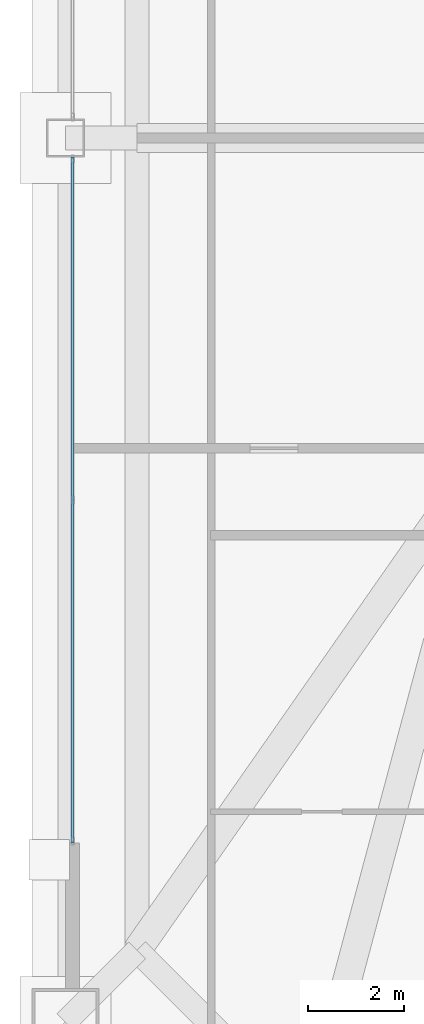
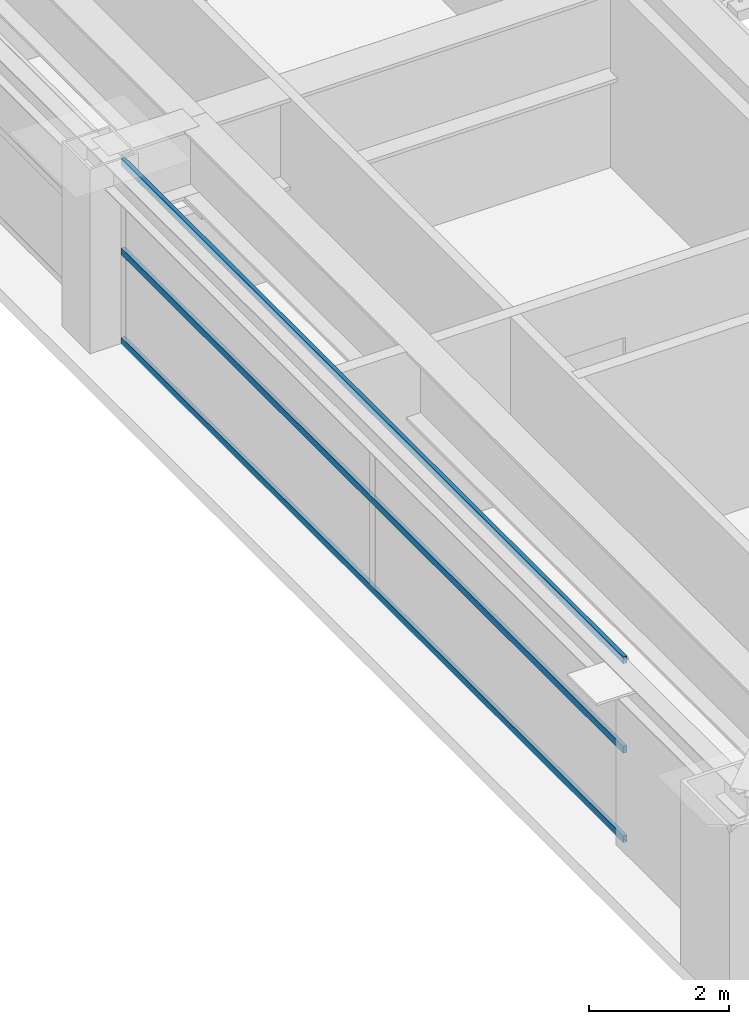
# One storey, part 9 of 39: 3 members, 1 element without a shape of its own.
"""IFC4 building model written with IfcOpenShell, lengths in metres."""

import ifcopenshell
import ifcopenshell.guid

model = None  # the IFC model being written
_history = None  # IfcOwnerHistory: only IFC2X3 demands one
_inside = {}  # id of a spatial element -> (the spatial element, [elements in it])
_under = {}  # id of a project, library or spatial element -> (it, [spatial elements below it])
_declared = {}  # id of a project -> (the project, [libraries it declares])
_typed = {}  # id of a type object -> (the type object, [elements of that type])
_made_of = {}  # id of a material, layer set ... -> (it, [elements and type objects made of it])


def new_model(schema):
    """Start an empty IFC model of exactly this schema.

    Asked for "IFC4X3", IfcOpenShell would pick the latest addendum, in which some entities
    have other attributes; the version numbers below select the first issue.
    IFC2X3 requires an IfcOwnerHistory on every rooted entity: one is made here for all.
    """
    global model, _history
    if schema == "IFC4X3":
        model = ifcopenshell.file(schema_version=(4, 3, 0, 0))
    else:
        model = ifcopenshell.file(schema=schema)
    _inside.clear()
    _under.clear()
    _declared.clear()
    _typed.clear()
    _made_of.clear()
    _history = None
    if model.schema == "IFC2X3":
        org = make("IfcOrganization", Name="unknown")
        user = make(
            "IfcPersonAndOrganization",
            ThePerson=make("IfcPerson", FamilyName="unknown"),
            TheOrganization=org,
        )
        app = make(
            "IfcApplication",
            ApplicationDeveloper=org,
            Version="unknown",
            ApplicationFullName="unknown",
            ApplicationIdentifier="unknown",
        )
        _history = make(
            "IfcOwnerHistory",
            OwningUser=user,
            OwningApplication=app,
            ChangeAction="ADDED",
            CreationDate=0,
        )
    return model


def make(cls, **values):
    """One entity of the class cls with the attributes given. An attribute that is None is left unset."""
    return model.create_entity(
        cls, **{name: value for name, value in values.items() if value is not None}
    )


def rooted(cls, **values):
    """An entity with a GlobalId (a new one), such as an element, a storey or a relation."""
    return make(cls, GlobalId=ifcopenshell.guid.new(), OwnerHistory=_history, **values)


def si_unit(unit_type, name, prefix=None):
    """IfcSIUnit, for example si_unit("LENGTHUNIT", "METRE", prefix="MILLI")."""
    return make("IfcSIUnit", UnitType=unit_type, Prefix=prefix, Name=name)


def assignment(units):
    """IfcUnitAssignment: the units of a project."""
    return None if units is None else make("IfcUnitAssignment", Units=units)


def point(xyz):
    """IfcCartesianPoint."""
    return None if xyz is None else make("IfcCartesianPoint", Coordinates=xyz)


def direction(xyz):
    """IfcDirection."""
    return None if xyz is None else make("IfcDirection", DirectionRatios=xyz)


def frame(location, z_axis=None, x_axis=None):
    """IfcAxis2Placement3D, a coordinate frame: its origin and axes. An axis left out is left unset."""
    return make(
        "IfcAxis2Placement3D",
        Location=point(location),
        Axis=direction(z_axis),
        RefDirection=direction(x_axis),
    )


def frame_2d(location, x_axis=None):
    """IfcAxis2Placement2D, a coordinate frame in the plane: its origin and x axis."""
    return make(
        "IfcAxis2Placement2D", Location=point(location), RefDirection=direction(x_axis)
    )


def origin():
    """The frame at (0, 0, 0) with its axes left unset."""
    return frame((0.0, 0.0, 0.0))


def origin_2d():
    """The frame at (0, 0) in the plane with its x axis left unset."""
    return frame_2d((0.0, 0.0))


def place(relative_to, where):
    """IfcLocalPlacement: puts the frame where relative to a parent placement (None: the world)."""
    return make(
        "IfcLocalPlacement", PlacementRelTo=relative_to, RelativePlacement=where
    )


def context(
    kind, dimensions, precision=None, world=None, true_north=None, identifier=None
):
    """IfcGeometricRepresentationContext, for example the 3D "Model" context."""
    return make(
        "IfcGeometricRepresentationContext",
        ContextIdentifier=identifier,
        ContextType=kind,
        CoordinateSpaceDimension=dimensions,
        Precision=precision,
        WorldCoordinateSystem=world,
        TrueNorth=true_north,
    )


def subcontext(parent, identifier, kind, view, scale=None):
    """IfcGeometricRepresentationSubContext, for example "Body" below "Model"."""
    return make(
        "IfcGeometricRepresentationSubContext",
        ContextIdentifier=identifier,
        ContextType=kind,
        ParentContext=parent,
        TargetScale=scale,
        TargetView=view,
    )


def project(units=None, contexts=None):
    """IfcProject with its units and contexts."""
    return rooted(
        "IfcProject",
        Name="project",
        RepresentationContexts=contexts,
        UnitsInContext=assignment(units),
    )


def spatial(cls, under=None, at=None, **own):
    """A site, building, storey or space (cls), placed at a placement, below another one or the project."""
    s = rooted(cls, ObjectPlacement=at, **own)
    if under is not None:
        _under.setdefault(under.id(), (under, []))[1].append(s)
    return s


def profile(cls, at=None, kind="AREA", **sizes):
    """A parametric profile (cls). Its sizes go by their IFC names, for example OverallWidth=200.0."""
    return make(cls, ProfileType=kind, Position=at, **sizes)


def hollow_rectangle(**sizes):
    """IfcRectangleHollowProfileDef."""
    return profile("IfcRectangleHollowProfileDef", **sizes)


def extrude(swept, where, along, depth):
    """IfcExtrudedAreaSolid: the profile swept, set in the frame where, extruded along a direction by depth."""
    return make(
        "IfcExtrudedAreaSolid",
        SweptArea=swept,
        Position=where,
        ExtrudedDirection=direction(along),
        Depth=depth,
    )


def shape(context_of_items, identifier, shape_type, items):
    """IfcShapeRepresentation: the items that make up one representation, for example the "Body"."""
    return make(
        "IfcShapeRepresentation",
        ContextOfItems=context_of_items,
        RepresentationIdentifier=identifier,
        RepresentationType=shape_type,
        Items=items,
    )


def source(mapping_origin, context_of_items, identifier, shape_type, items):
    """IfcRepresentationMap: a shape defined once, which mapped items show again and again."""
    return make(
        "IfcRepresentationMap",
        MappingOrigin=mapping_origin,
        MappedRepresentation=shape(context_of_items, identifier, shape_type, items),
    )


def transform(
    local_origin,
    x_axis=None,
    y_axis=None,
    z_axis=None,
    scale=None,
    scale2=None,
    scale3=None,
    uniform=True,
):
    """IfcCartesianTransformationOperator3D, or its non-uniform kind. x_axis, y_axis, z_axis: its Axis1, 2, 3."""
    if uniform:
        return make(
            "IfcCartesianTransformationOperator3D",
            Axis1=direction(x_axis),
            Axis2=direction(y_axis),
            LocalOrigin=point(local_origin),
            Scale=scale,
            Axis3=direction(z_axis),
        )
    return make(
        "IfcCartesianTransformationOperator3DnonUniform",
        Axis1=direction(x_axis),
        Axis2=direction(y_axis),
        LocalOrigin=point(local_origin),
        Scale=scale,
        Axis3=direction(z_axis),
        Scale2=scale2,
        Scale3=scale3,
    )


def mapped(mapping_source, mapping_target):
    """IfcMappedItem: shows the shape of a source again, moved by a transform."""
    return make(
        "IfcMappedItem", MappingSource=mapping_source, MappingTarget=mapping_target
    )


def material(Name=None, Category=None):
    """IfcMaterial."""
    return make("IfcMaterial", Name=Name, Category=Category)


def layer(
    of_material, thickness, ventilated=None, Name=None, Category=None, Priority=None
):
    """IfcMaterialLayer: one layer of a wall or slab, of a material (None: an air gap)."""
    return make(
        "IfcMaterialLayer",
        Material=of_material,
        LayerThickness=thickness,
        IsVentilated=ventilated,
        Name=Name,
        Category=Category,
        Priority=Priority,
    )


def layer_set(layers, Name=None):
    """IfcMaterialLayerSet."""
    return make("IfcMaterialLayerSet", MaterialLayers=layers, LayerSetName=Name)


def material_profile(
    of_material, cross_section, Name=None, Category=None, Priority=None
):
    """IfcMaterialProfile: a cross section and its material."""
    return make(
        "IfcMaterialProfile",
        Name=Name,
        Material=of_material,
        Profile=cross_section,
        Priority=Priority,
        Category=Category,
    )


def profile_set(profiles, Name=None, composite=None):
    """IfcMaterialProfileSet."""
    return make(
        "IfcMaterialProfileSet",
        Name=Name,
        MaterialProfiles=profiles,
        CompositeProfile=composite,
    )


def made_of(thing, what):
    """Note that an element or type object is made of a material, layer set ...; save() writes the relation."""
    if what is not None:
        _made_of.setdefault(what.id(), (what, []))[1].append(thing)
    return thing


def type_object(cls, material=None, **own):
    """A type object (cls), such as IfcWallType, which elements share."""
    return made_of(rooted(cls, **own), material)


def element(
    cls,
    number,
    at=None,
    inside=None,
    cuts=None,
    type_object=None,
    material=None,
    context=None,
    identifier="Body",
    shape_type=None,
    held_by="IfcProductDefinitionShape",
    body=None,
    shapes=None,
    **own,
):
    """One element of the class cls, such as IfcWall. Its Tag is "e" and its number.

    at: its placement. inside: the storey or other place that contains it. cuts: it is an
    opening in that element (IfcRelVoidsElement). A single representation is given by context,
    identifier, shape_type and body (its items); several are given by shapes. held_by: the class
    of the entity that holds the representations. save() writes the other relations.
    """
    e = rooted(cls, Tag="e%d" % number, ObjectPlacement=at, **own)
    if body is not None:
        shapes = [shape(context, identifier, shape_type, body)]
    if shapes is not None:
        e.Representation = make(held_by, Representations=shapes)
    if inside is not None:
        _inside.setdefault(inside.id(), (inside, []))[1].append(e)
    if cuts is not None:
        rooted(
            "IfcRelVoidsElement", RelatingBuildingElement=cuts, RelatedOpeningElement=e
        )
    if type_object is not None:
        _typed.setdefault(type_object.id(), (type_object, []))[1].append(e)
    return made_of(e, material)


def aggregate(whole, parts):
    """IfcRelAggregates: a whole, such as a stair, and the parts it consists of."""
    return rooted("IfcRelAggregates", RelatingObject=whole, RelatedObjects=parts)


def save(model, path):
    """Write the relations noted so far, then the file.

    IfcRelAggregates (storeys below a building ...), IfcRelContainedInSpatialStructure (elements
    in a storey), IfcRelDefinesByType, IfcRelAssociatesMaterial and IfcRelDeclares: one each for
    every whole, place, type object, material and project.
    """
    for whole, parts in _under.values():
        aggregate(whole, parts)
    for where, things in _inside.values():
        rooted(
            "IfcRelContainedInSpatialStructure",
            RelatedElements=things,
            RelatingStructure=where,
        )
    for kind, things in _typed.values():
        rooted("IfcRelDefinesByType", RelatedObjects=things, RelatingType=kind)
    for what, things in _made_of.values():
        rooted("IfcRelAssociatesMaterial", RelatedObjects=things, RelatingMaterial=what)
    for by, libraries in _declared.values():
        rooted("IfcRelDeclares", RelatingContext=by, RelatedDefinitions=libraries)
    model.write(path)


model = new_model("IFC4")

# Units and contexts
model_context = context("Model", 3, precision=1e-05, world=origin(), true_north=direction((0.0, 1.0)))
body_context = subcontext(model_context, "Body", "Model", "MODEL_VIEW")
ifc_project = project(units=[si_unit("LENGTHUNIT", "METRE"), si_unit("AREAUNIT", "SQUARE_METRE"), si_unit("VOLUMEUNIT", "CUBIC_METRE"), si_unit("PLANEANGLEUNIT", "RADIAN"), si_unit("MASSUNIT", "GRAM", prefix="KILO"), si_unit("THERMODYNAMICTEMPERATUREUNIT", "KELVIN"), si_unit("POWERUNIT", "WATT")], contexts=[model_context])

# Site, building, storey
site_placement = place(None, origin())
site = spatial("IfcSite", under=ifc_project, at=site_placement, CompositionType="ELEMENT")
building_placement = place(site_placement, origin())
building = spatial("IfcBuilding", under=site, at=building_placement, Name="Yuzanri Waterfront Tower", CompositionType="ELEMENT")
storey_placement = place(building_placement, frame((0.0, 0.0, 216.0)))
storey = spatial("IfcBuildingStorey", under=building, at=storey_placement, Name="L57", CompositionType="ELEMENT", Elevation=216.0)

# Curtain wall, members
ifc_material_1 = material(Name="Anodized Architectural Bronze", Category="metal")
ifc_layer = layer(ifc_material_1, 0.159912109375)
ifc_layer_set = layer_set([ifc_layer], Name="Anodized Architectural Bronze")
curtain_wall_type = type_object("IfcCurtainWallType", Name="Anodized Bronze Mid-Rise Residential Acoustic Unitized Curtain Wall 7200", PredefinedType="NOTDEFINED", material=ifc_layer_set)
curtain_wall_placement = place(storey_placement, origin())
curtain_wall = element("IfcCurtainWall", 1, at=curtain_wall_placement, inside=storey, type_object=curtain_wall_type, Name="L57 Curtain Wall CW-L57-WL", PredefinedType="NOTDEFINED")
ifc_material_2 = material(Name="Anodized Architectural Bronze", Category="metal")
ifc_material_profile = material_profile(ifc_material_2, hollow_rectangle(XDim=0.06494140625, YDim=0.1201171875, WallThickness=0.00341796875, at=origin_2d()), Name="CWT 65x120")
ifc_profile_set = profile_set([ifc_material_profile], Name="Anodized Architectural Bronze")
member_type = type_object("IfcMemberType", Name="Anodized Bronze Secondary Curtain-Wall Transom 65x120", PredefinedType="USERDEFINED", material=ifc_profile_set)
shared_shape = source(origin(), body_context, "Body", "SweptSolid", [
    extrude(hollow_rectangle(XDim=0.06494140625, YDim=0.1201171875, WallThickness=0.00341796875, at=origin_2d()), origin(), (0.0, 0.0, 1.0), 14.349853515625),
])
member_1_placement = place(storey_placement, frame((15.050048828125, 11.050048828125, 0.050048828125), z_axis=(0.0, 1.0, 0.0), x_axis=(-1.0, 0.0, 0.0)))
member_1 = element("IfcMember", 2, at=member_1_placement, type_object=member_type, Name="CW-L57-WL Transom 1", ObjectType="TRANSOM", PredefinedType="USERDEFINED", context=body_context, shape_type="MappedRepresentation", body=[
    mapped(shared_shape, transform((0.0, 0.0, 0.0), scale=1.0)),
])
member_2_placement = place(storey_placement, frame((15.050048828125, 11.050048828125, 1.610107421875), z_axis=(0.0, 1.0, 0.0), x_axis=(-1.0, 0.0, 0.0)))
member_2 = element("IfcMember", 3, at=member_2_placement, type_object=member_type, Name="CW-L57-WL Transom 2", ObjectType="TRANSOM", PredefinedType="USERDEFINED", context=body_context, shape_type="MappedRepresentation", body=[
    mapped(shared_shape, transform((0.0, 0.0, 0.0), scale=1.0)),
])
member_3_placement = place(storey_placement, frame((15.050048828125, 11.050048828125, 3.169921875), z_axis=(0.0, 1.0, 0.0), x_axis=(-1.0, 0.0, 0.0)))
member_3 = element("IfcMember", 4, at=member_3_placement, type_object=member_type, Name="CW-L57-WL Transom 3", ObjectType="TRANSOM", PredefinedType="USERDEFINED", context=body_context, shape_type="MappedRepresentation", body=[
    mapped(shared_shape, transform((0.0, 0.0, 0.0), scale=1.0)),
])
aggregate(curtain_wall, [member_1, member_2, member_3])

save(model, "model.ifc")
